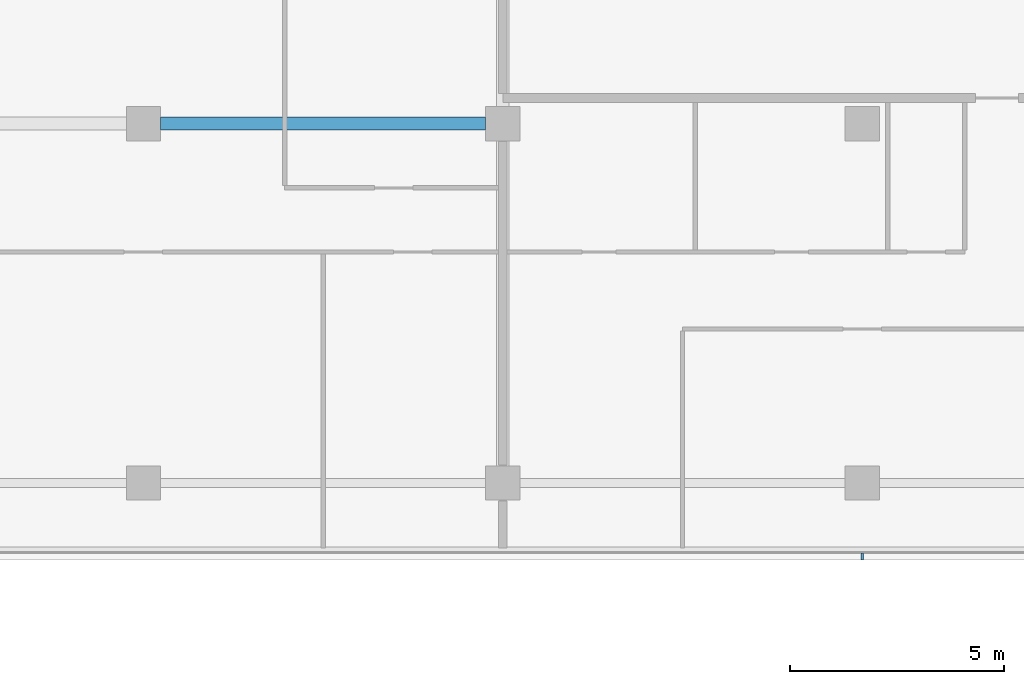
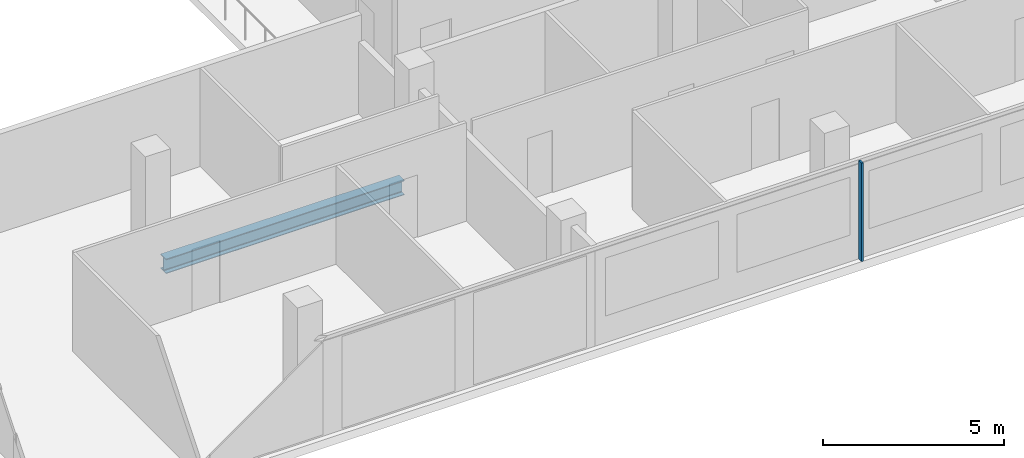
# One storey, part 6 of 29: 1 beam, 1 member, 1 element without a shape of its own.
"""IFC4 building model written with IfcOpenShell, lengths in metres."""

from ifc_helpers import new_model, si_unit, direction, frame, origin, origin_2d, place, context, subcontext, project, spatial, rectangle, i_section, extrude, material, material_profile, profile_set, type_object, element, aggregate, save


model = new_model("IFC4")

# Units and contexts
model_context = context("Model", 3, precision=1e-05, world=origin(), true_north=direction((0.0, 1.0)))
body_context = subcontext(model_context, "Body", "Model", "MODEL_VIEW")
ifc_project = project(units=[si_unit("LENGTHUNIT", "METRE"), si_unit("AREAUNIT", "SQUARE_METRE"), si_unit("VOLUMEUNIT", "CUBIC_METRE"), si_unit("PLANEANGLEUNIT", "RADIAN"), si_unit("MASSUNIT", "GRAM", prefix="KILO")], contexts=[model_context])

# Site, building, storey
site_placement = place(None, origin())
site = spatial("IfcSite", under=ifc_project, at=site_placement, CompositionType="ELEMENT")
building_placement = place(site_placement, origin())
building = spatial("IfcBuilding", under=site, at=building_placement, Name="Saffron Gate Tower", CompositionType="ELEMENT")
storey_placement = place(building_placement, frame((0.0, 0.0, 106.050048828125)))
storey = spatial("IfcBuildingStorey", under=building, at=storey_placement, Name="L24", CompositionType="ELEMENT", Elevation=106.050048828125)

# Beam
ifc_material_1 = material(Name="Structural steel S355", Category="steel")
ifc_material_profile_1 = material_profile(ifc_material_1, i_section(OverallWidth=0.300048828125, OverallDepth=0.489990234375, WebThickness=0.011962890625, FlangeThickness=0.02294921875, FilletRadius=0.027099609375, at=origin_2d()))
ifc_profile_set_1 = profile_set([ifc_material_profile_1], Name="Structural steel S355")
beam_type = type_object("IfcBeamType", Name="B8 HEA 500", PredefinedType="BEAM", material=ifc_profile_set_1)
beam_placement = place(storey_placement, frame((92.199951171875, 40.199951171875, -0.525146484375), z_axis=(1.0, 0.0, 0.0), x_axis=(0.0, 1.0, 0.0)))
element("IfcBeam", 1, at=beam_placement, inside=storey, type_object=beam_type, Name="B8 FLOOR GIRDER", PredefinedType="BEAM", context=body_context, shape_type="SweptSolid", body=[
    extrude(i_section(OverallWidth=0.300048828125, OverallDepth=0.489990234375, WebThickness=0.011962890625, FlangeThickness=0.02294921875, FilletRadius=0.027099609375, at=origin_2d()), origin(), (0.0, 0.0, 1.0), 7.60009765625),
])

# Curtain wall, member
ifc_material_2 = material(Name="Aluminium, bronze anodised", Category="aluminium")
curtain_wall_type = type_object("IfcCurtainWallType", Name="CWS1 curtain wall front facade", PredefinedType="NOTDEFINED", material=ifc_material_2)
curtain_wall_placement = place(storey_placement, origin())
curtain_wall = element("IfcCurtainWall", 2, at=curtain_wall_placement, inside=storey, type_object=curtain_wall_type, Name="CWS1 run 1", PredefinedType="NOTDEFINED")
ifc_material_profile_2 = material_profile(ifc_material_2, rectangle(XDim=0.159912109375, YDim=0.06005859375, at=origin_2d()))
ifc_profile_set_2 = profile_set([ifc_material_profile_2], Name="Aluminium, bronze anodised")
member_type = type_object("IfcMemberType", Name="CWS1 mullion 60x160", PredefinedType="MULLION", material=ifc_profile_set_2)
member_placement = place(storey_placement, frame((108.60009765625, 30.080078125, 0.0), z_axis=(0.0, 0.0, 1.0), x_axis=(0.0, 1.0, 0.0)))
member = element("IfcMember", 3, at=member_placement, type_object=member_type, Name="CWS1 mullion 8", PredefinedType="MULLION", context=body_context, shape_type="SweptSolid", body=[
    extrude(rectangle(XDim=0.159912109375, YDim=0.06005859375, at=origin_2d()), origin(), (0.0, 0.0, 1.0), 3.320068359375),
])
aggregate(curtain_wall, [member])

save(model, "model.ifc")
